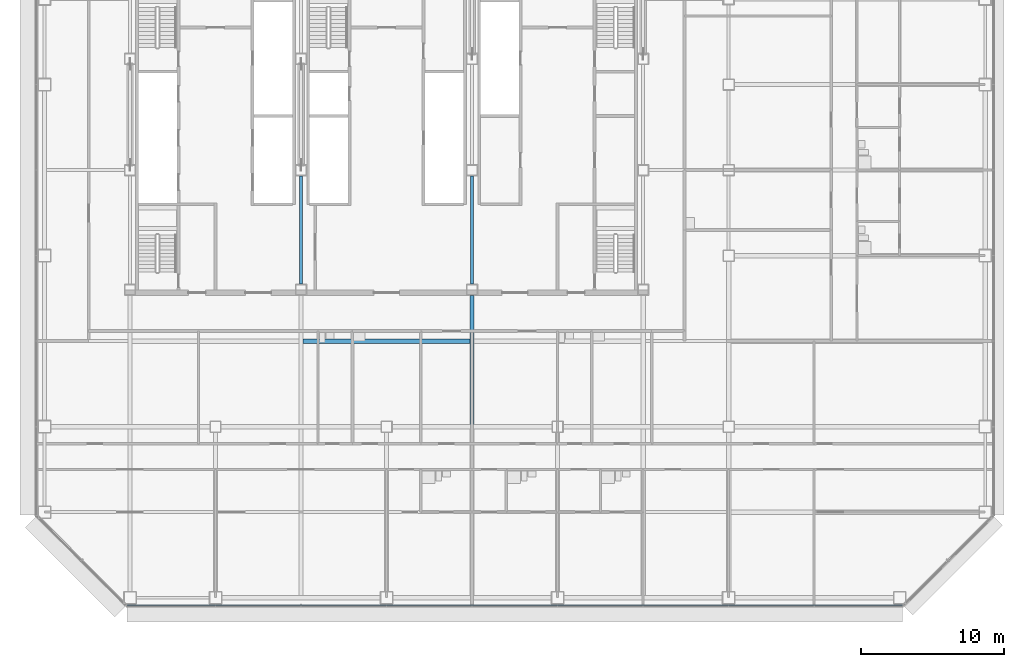
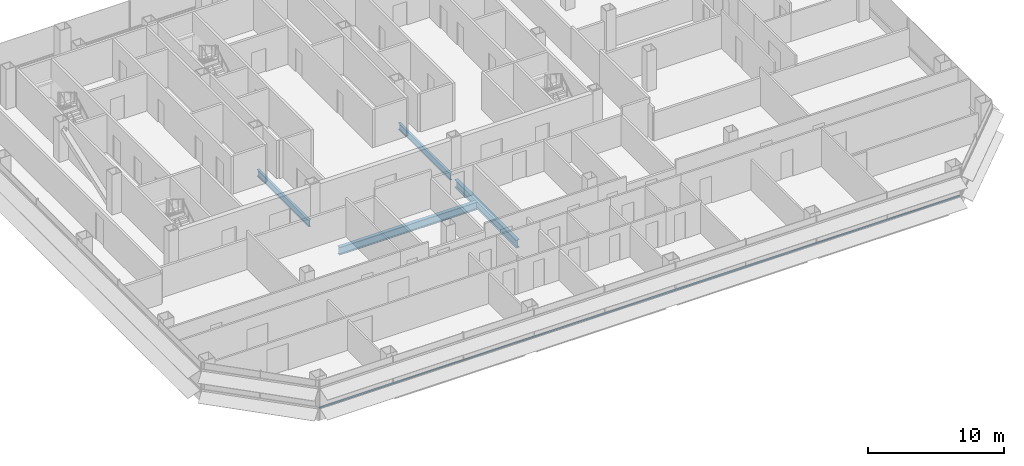
# One storey, part 7 of 26: 4 beams, 1 member, 1 element without a shape of its own.
"""IFC4 building model written with IfcOpenShell, lengths in metres."""

from ifc_helpers import new_model, si_unit, direction, frame, origin, origin_2d, place, context, subcontext, project, spatial, rectangle, i_section, extrude, material, material_profile, profile_set, type_object, element, aggregate, save


model = new_model("IFC4")

# Units and contexts
model_context = context("Model", 3, precision=1e-05, world=origin(), true_north=direction((0.0, 1.0)))
body_context = subcontext(model_context, "Body", "Model", "MODEL_VIEW")
ifc_project = project(units=[si_unit("LENGTHUNIT", "METRE"), si_unit("AREAUNIT", "SQUARE_METRE"), si_unit("VOLUMEUNIT", "CUBIC_METRE"), si_unit("PLANEANGLEUNIT", "RADIAN"), si_unit("MASSUNIT", "GRAM", prefix="KILO")], contexts=[model_context])

# Site, building, storey
site_placement = place(None, origin())
site = spatial("IfcSite", under=ifc_project, at=site_placement, CompositionType="ELEMENT")
building_placement = place(site_placement, origin())
building = spatial("IfcBuilding", under=site, at=building_placement, Name="Sorahane Residences", CompositionType="ELEMENT")
storey_placement = place(building_placement, frame((0.0, 0.0, 71.39990234375)))
storey = spatial("IfcBuildingStorey", under=building, at=storey_placement, Name="L14", CompositionType="ELEMENT", Elevation=71.39990234375)

# Curtain wall, member
ifc_material_1 = material(Name="Dark low-e glass and black anodised aluminium", Category="aluminium")
curtain_wall_type = type_object("IfcCurtainWallType", Name="Curtain wall CW-1 Typical unitised wall", PredefinedType="NOTDEFINED", material=ifc_material_1)
curtain_wall_placement = place(storey_placement, origin())
curtain_wall = element("IfcCurtainWall", 1, at=curtain_wall_placement, inside=storey, type_object=curtain_wall_type, Name="CW-1 curtain wall L14 S1", PredefinedType="NOTDEFINED")
ifc_material_2 = material(Name="Black anodised aluminium", Category="aluminium")
ifc_material_profile_1 = material_profile(ifc_material_2, rectangle(XDim=0.10009765625, YDim=0.06005859375, at=origin_2d()), Name="Curtain wall transom CW-1 black anodised aluminium 60x100")
ifc_profile_set_1 = profile_set([ifc_material_profile_1], Name="Black anodised aluminium")
member_type = type_object("IfcMemberType", Name="Curtain wall transom CW-1 black anodised aluminium 60x100", PredefinedType="USERDEFINED", material=ifc_profile_set_1)
member_placement = place(storey_placement, frame((5.801513671875, -0.530029296875, 0.900146484375), z_axis=(1.0, 0.0, 0.0), x_axis=(0.0, 1.0, 0.0)))
member = element("IfcMember", 2, at=member_placement, type_object=member_type, Name="CW-1 transom L14 S1", ObjectType="TRANSOM", PredefinedType="USERDEFINED", context=body_context, shape_type="SweptSolid", body=[
    extrude(rectangle(XDim=0.10009765625, YDim=0.06005859375, at=origin_2d()), origin(), (0.0, 0.0, 1.0), 54.39697265625),
])
aggregate(curtain_wall, [member])

# Beams
ifc_material_3 = material(Name="Steel Q355B", Category="steel")
ifc_material_profile_2 = material_profile(ifc_material_3, i_section(OverallWidth=0.199951171875, OverallDepth=0.60009765625, WebThickness=0.010986328125, FlangeThickness=0.01708984375, FilletRadius=0.02392578125, at=origin_2d()), Name="HN 600x200x11x17")
ifc_profile_set_2 = profile_set([ifc_material_profile_2], Name="Steel Q355B")
beam_type_1 = type_object("IfcBeamType", Name="Steel floor beam HN 600x200x11x17 Q355B", PredefinedType="BEAM", material=ifc_profile_set_2)
for number, where, z_axis, x_axis, name in (
    (3, (18.0, 22.0, -0.47998046875), (0.0, 1.0, 0.0), (-1.0, 0.0, 0.0), "Beam L14 031"),
    (4, (30.0, 22.0, -0.47998046875), (0.0, 1.0, 0.0), (-1.0, 0.0, 0.0), "Beam L14 039"),
):
    element("IfcBeam", number, at=place(storey_placement, frame(where, z_axis=z_axis, x_axis=x_axis)), inside=storey, type_object=beam_type_1, Name=name, PredefinedType="BEAM", context=body_context, shape_type="SweptSolid", body=[
        extrude(i_section(OverallWidth=0.199951171875, OverallDepth=0.60009765625, WebThickness=0.010986328125, FlangeThickness=0.01708984375, FilletRadius=0.02392578125, at=origin_2d()), origin(), (0.0, 0.0, 1.0), 7.60009765625),
    ])
ifc_material_4 = material(Name="Steel Q355B", Category="steel")
ifc_material_profile_3 = material_profile(ifc_material_4, i_section(OverallWidth=0.300048828125, OverallDepth=0.699951171875, WebThickness=0.012939453125, FlangeThickness=0.02392578125, FilletRadius=0.028076171875, at=origin_2d()), Name="HN 700x300x13x24")
ifc_profile_set_3 = profile_set([ifc_material_profile_3], Name="Steel Q355B")
beam_type_2 = type_object("IfcBeamType", Name="Steel floor beam HN 700x300x13x24 Q355B", PredefinedType="BEAM", material=ifc_profile_set_3)
beam_1_placement = place(storey_placement, frame((30.0, 12.14990234375, -0.52978515625), z_axis=(0.0, 1.0, 0.0), x_axis=(-1.0, 0.0, 0.0)))
element("IfcBeam", 5, at=beam_1_placement, inside=storey, type_object=beam_type_2, Name="Beam L14 038", PredefinedType="BEAM", context=body_context, shape_type="SweptSolid", body=[
    extrude(i_section(OverallWidth=0.300048828125, OverallDepth=0.699951171875, WebThickness=0.012939453125, FlangeThickness=0.02392578125, FilletRadius=0.028076171875, at=origin_2d()), origin(), (0.0, 0.0, 1.0), 9.050048828125),
])
beam_2_placement = place(storey_placement, frame((18.14990234375, 18.0, -0.52978515625), z_axis=(1.0, 0.0, 0.0), x_axis=(0.0, 1.0, 0.0)))
element("IfcBeam", 6, at=beam_2_placement, inside=storey, type_object=beam_type_2, Name="Beam L14 072", PredefinedType="BEAM", context=body_context, shape_type="SweptSolid", body=[
    extrude(i_section(OverallWidth=0.300048828125, OverallDepth=0.699951171875, WebThickness=0.012939453125, FlangeThickness=0.02392578125, FilletRadius=0.028076171875, at=origin_2d()), origin(), (0.0, 0.0, 1.0), 11.7001953125),
])

save(model, "model.ifc")
